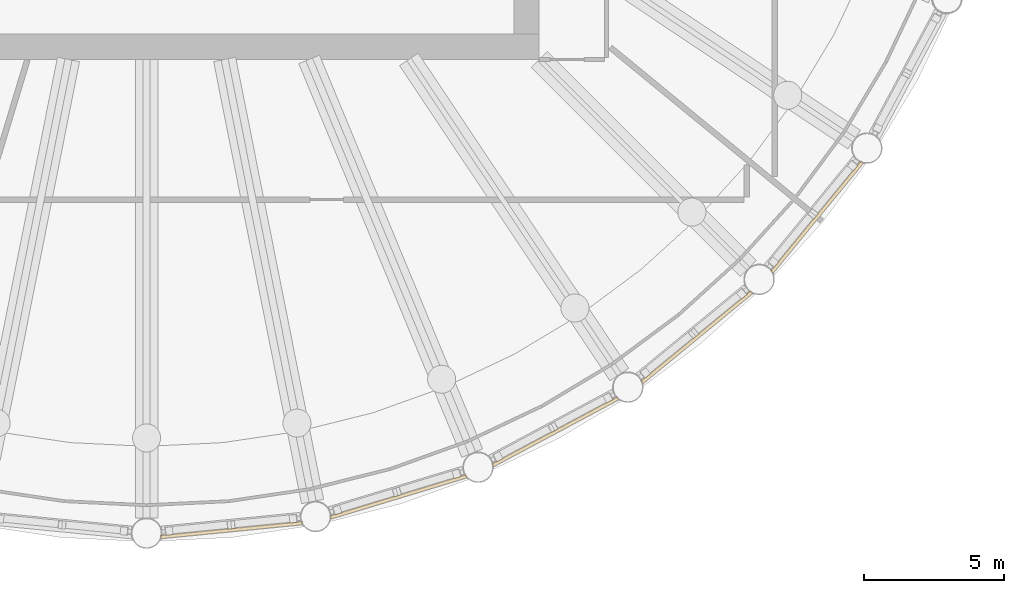
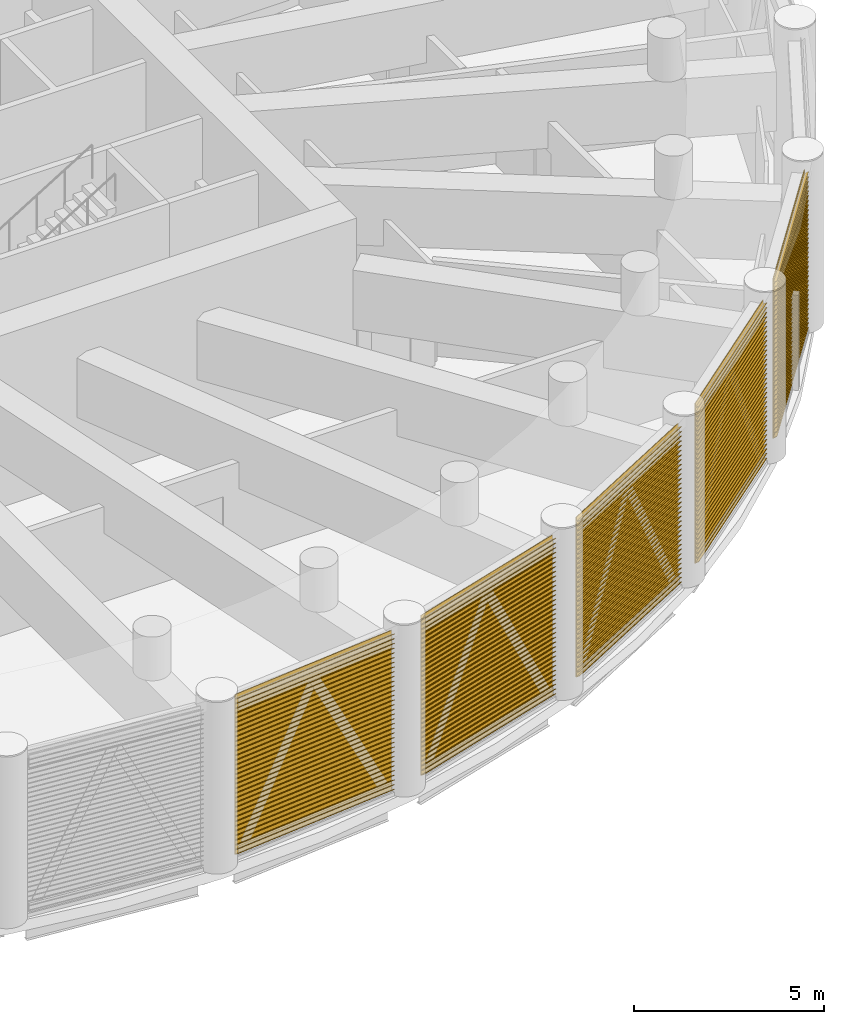
# One storey, part 18 of 23: 5 shading devices, 5 elements without a shape of their own.
"""IFC4 building model written with IfcOpenShell, lengths in metres."""

from ifc_helpers import new_model, si_unit, direction, frame, origin, place, context, subcontext, project, spatial, polyline, outline, extrude, material, material_profile, profile_set, type_object, element, aggregate, save


model = new_model("IFC4")

# Units and contexts
model_context = context("Model", 3, precision=1e-05, world=origin(), true_north=direction((0.0, 1.0)))
body_context = subcontext(model_context, "Body", "Model", "MODEL_VIEW")
ifc_project = project(units=[si_unit("LENGTHUNIT", "METRE"), si_unit("AREAUNIT", "SQUARE_METRE"), si_unit("VOLUMEUNIT", "CUBIC_METRE"), si_unit("PLANEANGLEUNIT", "RADIAN"), si_unit("MASSUNIT", "GRAM", prefix="KILO")], contexts=[model_context])

# Site, building, storey
site_placement = place(None, origin())
site = spatial("IfcSite", under=ifc_project, at=site_placement, CompositionType="ELEMENT")
building_placement = place(site_placement, origin())
building = spatial("IfcBuilding", under=site, at=building_placement, Name="Corvane Civic Tower", CompositionType="ELEMENT")
storey_placement = place(building_placement, frame((0.0, 0.0, 196.0)))
storey = spatial("IfcBuildingStorey", under=building, at=storey_placement, Name="L46", CompositionType="ELEMENT", Elevation=196.0)

# Curtain wall, shading device
ifc_material_1 = material(Name="Anodised aluminium bronze", Category="aluminium")
curtain_wall_type = type_object("IfcCurtainWallType", Name="TOWER CW-LV LOUVRE SCREEN WALL", PredefinedType="NOTDEFINED", material=ifc_material_1)
curtain_wall_1_placement = place(storey_placement, origin())
curtain_wall_1 = element("IfcCurtainWall", 1, at=curtain_wall_1_placement, inside=storey, type_object=curtain_wall_type, Name="Louvre screen wall CW-LV L46 bay 12", PredefinedType="NOTDEFINED")
ifc_material_2 = material(Name="Anodised aluminium bronze", Category="aluminium")
ifc_material_profile = material_profile(ifc_material_2, outline(polyline([(-0.06005859375, -2.56494140625), (-0.0400390625, -2.56494140625), (0.06005859375, -2.492919921875), (0.06005859375, -2.472900390625), (-0.0400390625, -2.544921875), (-0.0400390625, -2.4140625), (0.06005859375, -2.342041015625), (0.06005859375, -2.322021484375), (-0.0400390625, -2.39404296875), (-0.0400390625, -2.26318359375), (0.06005859375, -2.191162109375), (0.06005859375, -2.171142578125), (-0.0400390625, -2.2431640625), (-0.0400390625, -2.1123046875), (0.06005859375, -2.040283203125), (0.06005859375, -2.0205078125), (-0.0400390625, -2.09228515625), (-0.0400390625, -1.96142578125), (0.06005859375, -1.889404296875), (0.06005859375, -1.869384765625), (-0.0400390625, -1.94140625), (-0.0400390625, -1.810546875), (0.06005859375, -1.738525390625), (0.06005859375, -1.718505859375), (-0.0400390625, -1.79052734375), (-0.0400390625, -1.65966796875), (0.06005859375, -1.587646484375), (0.06005859375, -1.567626953125), (-0.0400390625, -1.6396484375), (-0.0400390625, -1.5087890625), (0.06005859375, -1.436767578125), (0.06005859375, -1.416748046875), (-0.0400390625, -1.48876953125), (-0.0400390625, -1.35791015625), (0.06005859375, -1.285888671875), (0.06005859375, -1.265869140625), (-0.0400390625, -1.337890625), (-0.0400390625, -1.20703125), (0.06005859375, -1.135009765625), (0.06005859375, -1.114990234375), (-0.0400390625, -1.18701171875), (-0.0400390625, -1.05615234375), (0.06005859375, -0.984130859375), (0.06005859375, -0.964111328125), (-0.0400390625, -1.0361328125), (-0.0400390625, -0.9052734375), (0.06005859375, -0.833251953125), (0.06005859375, -0.813232421875), (-0.0400390625, -0.88525390625), (-0.0400390625, -0.75439453125), (0.06005859375, -0.682373046875), (0.06005859375, -0.662353515625), (-0.0400390625, -0.734375), (-0.0400390625, -0.603515625), (0.06005859375, -0.531494140625), (0.06005859375, -0.511474609375), (-0.0400390625, -0.58349609375), (-0.0400390625, -0.45263671875), (0.06005859375, -0.380615234375), (0.06005859375, -0.360595703125), (-0.0400390625, -0.4326171875), (-0.0400390625, -0.3017578125), (0.06005859375, -0.229736328125), (0.06005859375, -0.209716796875), (-0.0400390625, -0.28173828125), (-0.0400390625, -0.15087890625), (0.06005859375, -0.078857421875), (0.06005859375, -0.058837890625), (-0.0400390625, -0.130859375), (-0.0400390625, 0.0), (0.06005859375, 0.072021484375), (0.06005859375, 0.092041015625), (-0.0400390625, 0.02001953125), (-0.0400390625, 0.15087890625), (0.06005859375, 0.222900390625), (0.06005859375, 0.242919921875), (-0.0400390625, 0.1708984375), (-0.0400390625, 0.3017578125), (0.06005859375, 0.373779296875), (0.06005859375, 0.393798828125), (-0.0400390625, 0.32177734375), (-0.0400390625, 0.45263671875), (0.06005859375, 0.524658203125), (0.06005859375, 0.544677734375), (-0.0400390625, 0.47265625), (-0.0400390625, 0.603515625), (0.06005859375, 0.675537109375), (0.06005859375, 0.695556640625), (-0.0400390625, 0.62353515625), (-0.0400390625, 0.75439453125), (0.06005859375, 0.826416015625), (0.06005859375, 0.846435546875), (-0.0400390625, 0.7744140625), (-0.0400390625, 0.9052734375), (0.06005859375, 0.977294921875), (0.06005859375, 0.997314453125), (-0.0400390625, 0.92529296875), (-0.0400390625, 1.05615234375), (0.06005859375, 1.128173828125), (0.06005859375, 1.148193359375), (-0.0400390625, 1.076171875), (-0.0400390625, 1.20703125), (0.06005859375, 1.279052734375), (0.06005859375, 1.299072265625), (-0.0400390625, 1.22705078125), (-0.0400390625, 1.35791015625), (0.06005859375, 1.429931640625), (0.06005859375, 1.449951171875), (-0.0400390625, 1.3779296875), (-0.0400390625, 1.5087890625), (0.06005859375, 1.580810546875), (0.06005859375, 1.600830078125), (-0.0400390625, 1.52880859375), (-0.0400390625, 1.65966796875), (0.06005859375, 1.731689453125), (0.06005859375, 1.751708984375), (-0.0400390625, 1.6796875), (-0.0400390625, 1.810546875), (0.06005859375, 1.882568359375), (0.06005859375, 1.902587890625), (-0.0400390625, 1.83056640625), (-0.0400390625, 1.96142578125), (0.06005859375, 2.033447265625), (0.06005859375, 2.053466796875), (-0.0400390625, 1.9814453125), (-0.0400390625, 2.1123046875), (0.06005859375, 2.184326171875), (0.06005859375, 2.204345703125), (-0.0400390625, 2.13232421875), (-0.0400390625, 2.26318359375), (0.06005859375, 2.335205078125), (0.06005859375, 2.355224609375), (-0.0400390625, 2.283203125), (-0.0400390625, 2.4140625), (0.06005859375, 2.486083984375), (0.06005859375, 2.506103515625), (-0.0400390625, 2.43408203125), (-0.0400390625, 2.56494140625), (-0.06005859375, 2.56494140625), (-0.06005859375, -2.56494140625)])), Name="TOWER LOUVRE BANK 5130 BRONZE")
ifc_profile_set = profile_set([ifc_material_profile], Name="Anodised aluminium bronze")
shading_device_type = type_object("IfcShadingDeviceType", Name="TOWER LOUVRE BANK 5130 BRONZE", PredefinedType="USERDEFINED", material=ifc_profile_set)
shading_device_1_placement = place(storey_placement, frame((25.519775390625, -17.65966796875, 2.68505859375), z_axis=(-0.634386611146, -0.773015929719, 0.0), x_axis=(0.773015929719, -0.634386611146, 0.0)))
shading_device_1 = element("IfcShadingDevice", 2, at=shading_device_1_placement, type_object=shading_device_type, Name="Louvre bank L46 12.1", ObjectType="LOUVRE", PredefinedType="USERDEFINED", context=body_context, shape_type="SweptSolid", body=[
    extrude(outline(polyline([(-0.06005859375, -2.56494140625), (-0.0400390625, -2.56494140625), (0.06005859375, -2.492919921875), (0.06005859375, -2.472900390625), (-0.0400390625, -2.544921875), (-0.0400390625, -2.4140625), (0.06005859375, -2.342041015625), (0.06005859375, -2.322021484375), (-0.0400390625, -2.39404296875), (-0.0400390625, -2.26318359375), (0.06005859375, -2.191162109375), (0.06005859375, -2.171142578125), (-0.0400390625, -2.2431640625), (-0.0400390625, -2.1123046875), (0.06005859375, -2.040283203125), (0.06005859375, -2.0205078125), (-0.0400390625, -2.09228515625), (-0.0400390625, -1.96142578125), (0.06005859375, -1.889404296875), (0.06005859375, -1.869384765625), (-0.0400390625, -1.94140625), (-0.0400390625, -1.810546875), (0.06005859375, -1.738525390625), (0.06005859375, -1.718505859375), (-0.0400390625, -1.79052734375), (-0.0400390625, -1.65966796875), (0.06005859375, -1.587646484375), (0.06005859375, -1.567626953125), (-0.0400390625, -1.6396484375), (-0.0400390625, -1.5087890625), (0.06005859375, -1.436767578125), (0.06005859375, -1.416748046875), (-0.0400390625, -1.48876953125), (-0.0400390625, -1.35791015625), (0.06005859375, -1.285888671875), (0.06005859375, -1.265869140625), (-0.0400390625, -1.337890625), (-0.0400390625, -1.20703125), (0.06005859375, -1.135009765625), (0.06005859375, -1.114990234375), (-0.0400390625, -1.18701171875), (-0.0400390625, -1.05615234375), (0.06005859375, -0.984130859375), (0.06005859375, -0.964111328125), (-0.0400390625, -1.0361328125), (-0.0400390625, -0.9052734375), (0.06005859375, -0.833251953125), (0.06005859375, -0.813232421875), (-0.0400390625, -0.88525390625), (-0.0400390625, -0.75439453125), (0.06005859375, -0.682373046875), (0.06005859375, -0.662353515625), (-0.0400390625, -0.734375), (-0.0400390625, -0.603515625), (0.06005859375, -0.531494140625), (0.06005859375, -0.511474609375), (-0.0400390625, -0.58349609375), (-0.0400390625, -0.45263671875), (0.06005859375, -0.380615234375), (0.06005859375, -0.360595703125), (-0.0400390625, -0.4326171875), (-0.0400390625, -0.3017578125), (0.06005859375, -0.229736328125), (0.06005859375, -0.209716796875), (-0.0400390625, -0.28173828125), (-0.0400390625, -0.15087890625), (0.06005859375, -0.078857421875), (0.06005859375, -0.058837890625), (-0.0400390625, -0.130859375), (-0.0400390625, 0.0), (0.06005859375, 0.072021484375), (0.06005859375, 0.092041015625), (-0.0400390625, 0.02001953125), (-0.0400390625, 0.15087890625), (0.06005859375, 0.222900390625), (0.06005859375, 0.242919921875), (-0.0400390625, 0.1708984375), (-0.0400390625, 0.3017578125), (0.06005859375, 0.373779296875), (0.06005859375, 0.393798828125), (-0.0400390625, 0.32177734375), (-0.0400390625, 0.45263671875), (0.06005859375, 0.524658203125), (0.06005859375, 0.544677734375), (-0.0400390625, 0.47265625), (-0.0400390625, 0.603515625), (0.06005859375, 0.675537109375), (0.06005859375, 0.695556640625), (-0.0400390625, 0.62353515625), (-0.0400390625, 0.75439453125), (0.06005859375, 0.826416015625), (0.06005859375, 0.846435546875), (-0.0400390625, 0.7744140625), (-0.0400390625, 0.9052734375), (0.06005859375, 0.977294921875), (0.06005859375, 0.997314453125), (-0.0400390625, 0.92529296875), (-0.0400390625, 1.05615234375), (0.06005859375, 1.128173828125), (0.06005859375, 1.148193359375), (-0.0400390625, 1.076171875), (-0.0400390625, 1.20703125), (0.06005859375, 1.279052734375), (0.06005859375, 1.299072265625), (-0.0400390625, 1.22705078125), (-0.0400390625, 1.35791015625), (0.06005859375, 1.429931640625), (0.06005859375, 1.449951171875), (-0.0400390625, 1.3779296875), (-0.0400390625, 1.5087890625), (0.06005859375, 1.580810546875), (0.06005859375, 1.600830078125), (-0.0400390625, 1.52880859375), (-0.0400390625, 1.65966796875), (0.06005859375, 1.731689453125), (0.06005859375, 1.751708984375), (-0.0400390625, 1.6796875), (-0.0400390625, 1.810546875), (0.06005859375, 1.882568359375), (0.06005859375, 1.902587890625), (-0.0400390625, 1.83056640625), (-0.0400390625, 1.96142578125), (0.06005859375, 2.033447265625), (0.06005859375, 2.053466796875), (-0.0400390625, 1.9814453125), (-0.0400390625, 2.1123046875), (0.06005859375, 2.184326171875), (0.06005859375, 2.204345703125), (-0.0400390625, 2.13232421875), (-0.0400390625, 2.26318359375), (0.06005859375, 2.335205078125), (0.06005859375, 2.355224609375), (-0.0400390625, 2.283203125), (-0.0400390625, 2.4140625), (0.06005859375, 2.486083984375), (0.06005859375, 2.506103515625), (-0.0400390625, 2.43408203125), (-0.0400390625, 2.56494140625), (-0.06005859375, 2.56494140625), (-0.06005859375, -2.56494140625)])), origin(), (0.0, 0.0, 1.0), 5.0771484375),
])
aggregate(curtain_wall_1, [shading_device_1])

curtain_wall_2_placement = place(storey_placement, origin())
curtain_wall_2 = element("IfcCurtainWall", 3, at=curtain_wall_2_placement, inside=storey, type_object=curtain_wall_type, Name="Louvre screen wall CW-LV L46 bay 13", PredefinedType="NOTDEFINED")
shading_device_2_placement = place(storey_placement, frame((21.58447265625, -22.298828125, 2.68505859375), z_axis=(-0.773015929719, -0.634386611146, 0.0), x_axis=(0.634386611146, -0.773015929719, 0.0)))
shading_device_2 = element("IfcShadingDevice", 4, at=shading_device_2_placement, type_object=shading_device_type, Name="Louvre bank L46 13.1", ObjectType="LOUVRE", PredefinedType="USERDEFINED", context=body_context, shape_type="SweptSolid", body=[
    extrude(outline(polyline([(-0.06005859375, -2.56494140625), (-0.0400390625, -2.56494140625), (0.06005859375, -2.492919921875), (0.06005859375, -2.472900390625), (-0.0400390625, -2.544921875), (-0.0400390625, -2.4140625), (0.06005859375, -2.342041015625), (0.06005859375, -2.322021484375), (-0.0400390625, -2.39404296875), (-0.0400390625, -2.26318359375), (0.06005859375, -2.191162109375), (0.06005859375, -2.171142578125), (-0.0400390625, -2.2431640625), (-0.0400390625, -2.1123046875), (0.06005859375, -2.040283203125), (0.06005859375, -2.0205078125), (-0.0400390625, -2.09228515625), (-0.0400390625, -1.96142578125), (0.06005859375, -1.889404296875), (0.06005859375, -1.869384765625), (-0.0400390625, -1.94140625), (-0.0400390625, -1.810546875), (0.06005859375, -1.738525390625), (0.06005859375, -1.718505859375), (-0.0400390625, -1.79052734375), (-0.0400390625, -1.65966796875), (0.06005859375, -1.587646484375), (0.06005859375, -1.567626953125), (-0.0400390625, -1.6396484375), (-0.0400390625, -1.5087890625), (0.06005859375, -1.436767578125), (0.06005859375, -1.416748046875), (-0.0400390625, -1.48876953125), (-0.0400390625, -1.35791015625), (0.06005859375, -1.285888671875), (0.06005859375, -1.265869140625), (-0.0400390625, -1.337890625), (-0.0400390625, -1.20703125), (0.06005859375, -1.135009765625), (0.06005859375, -1.114990234375), (-0.0400390625, -1.18701171875), (-0.0400390625, -1.05615234375), (0.06005859375, -0.984130859375), (0.06005859375, -0.964111328125), (-0.0400390625, -1.0361328125), (-0.0400390625, -0.9052734375), (0.06005859375, -0.833251953125), (0.06005859375, -0.813232421875), (-0.0400390625, -0.88525390625), (-0.0400390625, -0.75439453125), (0.06005859375, -0.682373046875), (0.06005859375, -0.662353515625), (-0.0400390625, -0.734375), (-0.0400390625, -0.603515625), (0.06005859375, -0.531494140625), (0.06005859375, -0.511474609375), (-0.0400390625, -0.58349609375), (-0.0400390625, -0.45263671875), (0.06005859375, -0.380615234375), (0.06005859375, -0.360595703125), (-0.0400390625, -0.4326171875), (-0.0400390625, -0.3017578125), (0.06005859375, -0.229736328125), (0.06005859375, -0.209716796875), (-0.0400390625, -0.28173828125), (-0.0400390625, -0.15087890625), (0.06005859375, -0.078857421875), (0.06005859375, -0.058837890625), (-0.0400390625, -0.130859375), (-0.0400390625, 0.0), (0.06005859375, 0.072021484375), (0.06005859375, 0.092041015625), (-0.0400390625, 0.02001953125), (-0.0400390625, 0.15087890625), (0.06005859375, 0.222900390625), (0.06005859375, 0.242919921875), (-0.0400390625, 0.1708984375), (-0.0400390625, 0.3017578125), (0.06005859375, 0.373779296875), (0.06005859375, 0.393798828125), (-0.0400390625, 0.32177734375), (-0.0400390625, 0.45263671875), (0.06005859375, 0.524658203125), (0.06005859375, 0.544677734375), (-0.0400390625, 0.47265625), (-0.0400390625, 0.603515625), (0.06005859375, 0.675537109375), (0.06005859375, 0.695556640625), (-0.0400390625, 0.62353515625), (-0.0400390625, 0.75439453125), (0.06005859375, 0.826416015625), (0.06005859375, 0.846435546875), (-0.0400390625, 0.7744140625), (-0.0400390625, 0.9052734375), (0.06005859375, 0.977294921875), (0.06005859375, 0.997314453125), (-0.0400390625, 0.92529296875), (-0.0400390625, 1.05615234375), (0.06005859375, 1.128173828125), (0.06005859375, 1.148193359375), (-0.0400390625, 1.076171875), (-0.0400390625, 1.20703125), (0.06005859375, 1.279052734375), (0.06005859375, 1.299072265625), (-0.0400390625, 1.22705078125), (-0.0400390625, 1.35791015625), (0.06005859375, 1.429931640625), (0.06005859375, 1.449951171875), (-0.0400390625, 1.3779296875), (-0.0400390625, 1.5087890625), (0.06005859375, 1.580810546875), (0.06005859375, 1.600830078125), (-0.0400390625, 1.52880859375), (-0.0400390625, 1.65966796875), (0.06005859375, 1.731689453125), (0.06005859375, 1.751708984375), (-0.0400390625, 1.6796875), (-0.0400390625, 1.810546875), (0.06005859375, 1.882568359375), (0.06005859375, 1.902587890625), (-0.0400390625, 1.83056640625), (-0.0400390625, 1.96142578125), (0.06005859375, 2.033447265625), (0.06005859375, 2.053466796875), (-0.0400390625, 1.9814453125), (-0.0400390625, 2.1123046875), (0.06005859375, 2.184326171875), (0.06005859375, 2.204345703125), (-0.0400390625, 2.13232421875), (-0.0400390625, 2.26318359375), (0.06005859375, 2.335205078125), (0.06005859375, 2.355224609375), (-0.0400390625, 2.283203125), (-0.0400390625, 2.4140625), (0.06005859375, 2.486083984375), (0.06005859375, 2.506103515625), (-0.0400390625, 2.43408203125), (-0.0400390625, 2.56494140625), (-0.06005859375, 2.56494140625), (-0.06005859375, -2.56494140625)])), origin(), (0.0, 0.0, 1.0), 5.0771484375),
])
aggregate(curtain_wall_2, [shading_device_2])

curtain_wall_3_placement = place(storey_placement, origin())
curtain_wall_3 = element("IfcCurtainWall", 5, at=curtain_wall_3_placement, inside=storey, type_object=curtain_wall_type, Name="Louvre screen wall CW-LV L46 bay 14", PredefinedType="NOTDEFINED")
shading_device_3_placement = place(storey_placement, frame((16.819580078125, -26.081298828125, 2.68505859375), z_axis=(-0.881921329426, -0.471396615074, 0.0), x_axis=(0.471396615074, -0.881921329426, 0.0)))
shading_device_3 = element("IfcShadingDevice", 6, at=shading_device_3_placement, type_object=shading_device_type, Name="Louvre bank L46 14.1", ObjectType="LOUVRE", PredefinedType="USERDEFINED", context=body_context, shape_type="SweptSolid", body=[
    extrude(outline(polyline([(-0.06005859375, -2.56494140625), (-0.0400390625, -2.56494140625), (0.06005859375, -2.492919921875), (0.06005859375, -2.472900390625), (-0.0400390625, -2.544921875), (-0.0400390625, -2.4140625), (0.06005859375, -2.342041015625), (0.06005859375, -2.322021484375), (-0.0400390625, -2.39404296875), (-0.0400390625, -2.26318359375), (0.06005859375, -2.191162109375), (0.06005859375, -2.171142578125), (-0.0400390625, -2.2431640625), (-0.0400390625, -2.1123046875), (0.06005859375, -2.040283203125), (0.06005859375, -2.0205078125), (-0.0400390625, -2.09228515625), (-0.0400390625, -1.96142578125), (0.06005859375, -1.889404296875), (0.06005859375, -1.869384765625), (-0.0400390625, -1.94140625), (-0.0400390625, -1.810546875), (0.06005859375, -1.738525390625), (0.06005859375, -1.718505859375), (-0.0400390625, -1.79052734375), (-0.0400390625, -1.65966796875), (0.06005859375, -1.587646484375), (0.06005859375, -1.567626953125), (-0.0400390625, -1.6396484375), (-0.0400390625, -1.5087890625), (0.06005859375, -1.436767578125), (0.06005859375, -1.416748046875), (-0.0400390625, -1.48876953125), (-0.0400390625, -1.35791015625), (0.06005859375, -1.285888671875), (0.06005859375, -1.265869140625), (-0.0400390625, -1.337890625), (-0.0400390625, -1.20703125), (0.06005859375, -1.135009765625), (0.06005859375, -1.114990234375), (-0.0400390625, -1.18701171875), (-0.0400390625, -1.05615234375), (0.06005859375, -0.984130859375), (0.06005859375, -0.964111328125), (-0.0400390625, -1.0361328125), (-0.0400390625, -0.9052734375), (0.06005859375, -0.833251953125), (0.06005859375, -0.813232421875), (-0.0400390625, -0.88525390625), (-0.0400390625, -0.75439453125), (0.06005859375, -0.682373046875), (0.06005859375, -0.662353515625), (-0.0400390625, -0.734375), (-0.0400390625, -0.603515625), (0.06005859375, -0.531494140625), (0.06005859375, -0.511474609375), (-0.0400390625, -0.58349609375), (-0.0400390625, -0.45263671875), (0.06005859375, -0.380615234375), (0.06005859375, -0.360595703125), (-0.0400390625, -0.4326171875), (-0.0400390625, -0.3017578125), (0.06005859375, -0.229736328125), (0.06005859375, -0.209716796875), (-0.0400390625, -0.28173828125), (-0.0400390625, -0.15087890625), (0.06005859375, -0.078857421875), (0.06005859375, -0.058837890625), (-0.0400390625, -0.130859375), (-0.0400390625, 0.0), (0.06005859375, 0.072021484375), (0.06005859375, 0.092041015625), (-0.0400390625, 0.02001953125), (-0.0400390625, 0.15087890625), (0.06005859375, 0.222900390625), (0.06005859375, 0.242919921875), (-0.0400390625, 0.1708984375), (-0.0400390625, 0.3017578125), (0.06005859375, 0.373779296875), (0.06005859375, 0.393798828125), (-0.0400390625, 0.32177734375), (-0.0400390625, 0.45263671875), (0.06005859375, 0.524658203125), (0.06005859375, 0.544677734375), (-0.0400390625, 0.47265625), (-0.0400390625, 0.603515625), (0.06005859375, 0.675537109375), (0.06005859375, 0.695556640625), (-0.0400390625, 0.62353515625), (-0.0400390625, 0.75439453125), (0.06005859375, 0.826416015625), (0.06005859375, 0.846435546875), (-0.0400390625, 0.7744140625), (-0.0400390625, 0.9052734375), (0.06005859375, 0.977294921875), (0.06005859375, 0.997314453125), (-0.0400390625, 0.92529296875), (-0.0400390625, 1.05615234375), (0.06005859375, 1.128173828125), (0.06005859375, 1.148193359375), (-0.0400390625, 1.076171875), (-0.0400390625, 1.20703125), (0.06005859375, 1.279052734375), (0.06005859375, 1.299072265625), (-0.0400390625, 1.22705078125), (-0.0400390625, 1.35791015625), (0.06005859375, 1.429931640625), (0.06005859375, 1.449951171875), (-0.0400390625, 1.3779296875), (-0.0400390625, 1.5087890625), (0.06005859375, 1.580810546875), (0.06005859375, 1.600830078125), (-0.0400390625, 1.52880859375), (-0.0400390625, 1.65966796875), (0.06005859375, 1.731689453125), (0.06005859375, 1.751708984375), (-0.0400390625, 1.6796875), (-0.0400390625, 1.810546875), (0.06005859375, 1.882568359375), (0.06005859375, 1.902587890625), (-0.0400390625, 1.83056640625), (-0.0400390625, 1.96142578125), (0.06005859375, 2.033447265625), (0.06005859375, 2.053466796875), (-0.0400390625, 1.9814453125), (-0.0400390625, 2.1123046875), (0.06005859375, 2.184326171875), (0.06005859375, 2.204345703125), (-0.0400390625, 2.13232421875), (-0.0400390625, 2.26318359375), (0.06005859375, 2.335205078125), (0.06005859375, 2.355224609375), (-0.0400390625, 2.283203125), (-0.0400390625, 2.4140625), (0.06005859375, 2.486083984375), (0.06005859375, 2.506103515625), (-0.0400390625, 2.43408203125), (-0.0400390625, 2.56494140625), (-0.06005859375, 2.56494140625), (-0.06005859375, -2.56494140625)])), origin(), (0.0, 0.0, 1.0), 5.07763671875),
])
aggregate(curtain_wall_3, [shading_device_3])

curtain_wall_4_placement = place(storey_placement, origin())
curtain_wall_4 = element("IfcCurtainWall", 7, at=curtain_wall_4_placement, inside=storey, type_object=curtain_wall_type, Name="Louvre screen wall CW-LV L46 bay 15", PredefinedType="NOTDEFINED")
shading_device_4_placement = place(storey_placement, frame((11.407958984375, -28.861572265625, 2.68505859375), z_axis=(-0.956939031389, -0.290288977061, 0.0), x_axis=(0.290288977061, -0.956939031389, 0.0)))
shading_device_4 = element("IfcShadingDevice", 8, at=shading_device_4_placement, type_object=shading_device_type, Name="Louvre bank L46 15.1", ObjectType="LOUVRE", PredefinedType="USERDEFINED", context=body_context, shape_type="SweptSolid", body=[
    extrude(outline(polyline([(-0.06005859375, -2.56494140625), (-0.0400390625, -2.56494140625), (0.06005859375, -2.492919921875), (0.06005859375, -2.472900390625), (-0.0400390625, -2.544921875), (-0.0400390625, -2.4140625), (0.06005859375, -2.342041015625), (0.06005859375, -2.322021484375), (-0.0400390625, -2.39404296875), (-0.0400390625, -2.26318359375), (0.06005859375, -2.191162109375), (0.06005859375, -2.171142578125), (-0.0400390625, -2.2431640625), (-0.0400390625, -2.1123046875), (0.06005859375, -2.040283203125), (0.06005859375, -2.0205078125), (-0.0400390625, -2.09228515625), (-0.0400390625, -1.96142578125), (0.06005859375, -1.889404296875), (0.06005859375, -1.869384765625), (-0.0400390625, -1.94140625), (-0.0400390625, -1.810546875), (0.06005859375, -1.738525390625), (0.06005859375, -1.718505859375), (-0.0400390625, -1.79052734375), (-0.0400390625, -1.65966796875), (0.06005859375, -1.587646484375), (0.06005859375, -1.567626953125), (-0.0400390625, -1.6396484375), (-0.0400390625, -1.5087890625), (0.06005859375, -1.436767578125), (0.06005859375, -1.416748046875), (-0.0400390625, -1.48876953125), (-0.0400390625, -1.35791015625), (0.06005859375, -1.285888671875), (0.06005859375, -1.265869140625), (-0.0400390625, -1.337890625), (-0.0400390625, -1.20703125), (0.06005859375, -1.135009765625), (0.06005859375, -1.114990234375), (-0.0400390625, -1.18701171875), (-0.0400390625, -1.05615234375), (0.06005859375, -0.984130859375), (0.06005859375, -0.964111328125), (-0.0400390625, -1.0361328125), (-0.0400390625, -0.9052734375), (0.06005859375, -0.833251953125), (0.06005859375, -0.813232421875), (-0.0400390625, -0.88525390625), (-0.0400390625, -0.75439453125), (0.06005859375, -0.682373046875), (0.06005859375, -0.662353515625), (-0.0400390625, -0.734375), (-0.0400390625, -0.603515625), (0.06005859375, -0.531494140625), (0.06005859375, -0.511474609375), (-0.0400390625, -0.58349609375), (-0.0400390625, -0.45263671875), (0.06005859375, -0.380615234375), (0.06005859375, -0.360595703125), (-0.0400390625, -0.4326171875), (-0.0400390625, -0.3017578125), (0.06005859375, -0.229736328125), (0.06005859375, -0.209716796875), (-0.0400390625, -0.28173828125), (-0.0400390625, -0.15087890625), (0.06005859375, -0.078857421875), (0.06005859375, -0.058837890625), (-0.0400390625, -0.130859375), (-0.0400390625, 0.0), (0.06005859375, 0.072021484375), (0.06005859375, 0.092041015625), (-0.0400390625, 0.02001953125), (-0.0400390625, 0.15087890625), (0.06005859375, 0.222900390625), (0.06005859375, 0.242919921875), (-0.0400390625, 0.1708984375), (-0.0400390625, 0.3017578125), (0.06005859375, 0.373779296875), (0.06005859375, 0.393798828125), (-0.0400390625, 0.32177734375), (-0.0400390625, 0.45263671875), (0.06005859375, 0.524658203125), (0.06005859375, 0.544677734375), (-0.0400390625, 0.47265625), (-0.0400390625, 0.603515625), (0.06005859375, 0.675537109375), (0.06005859375, 0.695556640625), (-0.0400390625, 0.62353515625), (-0.0400390625, 0.75439453125), (0.06005859375, 0.826416015625), (0.06005859375, 0.846435546875), (-0.0400390625, 0.7744140625), (-0.0400390625, 0.9052734375), (0.06005859375, 0.977294921875), (0.06005859375, 0.997314453125), (-0.0400390625, 0.92529296875), (-0.0400390625, 1.05615234375), (0.06005859375, 1.128173828125), (0.06005859375, 1.148193359375), (-0.0400390625, 1.076171875), (-0.0400390625, 1.20703125), (0.06005859375, 1.279052734375), (0.06005859375, 1.299072265625), (-0.0400390625, 1.22705078125), (-0.0400390625, 1.35791015625), (0.06005859375, 1.429931640625), (0.06005859375, 1.449951171875), (-0.0400390625, 1.3779296875), (-0.0400390625, 1.5087890625), (0.06005859375, 1.580810546875), (0.06005859375, 1.600830078125), (-0.0400390625, 1.52880859375), (-0.0400390625, 1.65966796875), (0.06005859375, 1.731689453125), (0.06005859375, 1.751708984375), (-0.0400390625, 1.6796875), (-0.0400390625, 1.810546875), (0.06005859375, 1.882568359375), (0.06005859375, 1.902587890625), (-0.0400390625, 1.83056640625), (-0.0400390625, 1.96142578125), (0.06005859375, 2.033447265625), (0.06005859375, 2.053466796875), (-0.0400390625, 1.9814453125), (-0.0400390625, 2.1123046875), (0.06005859375, 2.184326171875), (0.06005859375, 2.204345703125), (-0.0400390625, 2.13232421875), (-0.0400390625, 2.26318359375), (0.06005859375, 2.335205078125), (0.06005859375, 2.355224609375), (-0.0400390625, 2.283203125), (-0.0400390625, 2.4140625), (0.06005859375, 2.486083984375), (0.06005859375, 2.506103515625), (-0.0400390625, 2.43408203125), (-0.0400390625, 2.56494140625), (-0.06005859375, 2.56494140625), (-0.06005859375, -2.56494140625)])), origin(), (0.0, 0.0, 1.0), 5.077392578125),
])
aggregate(curtain_wall_4, [shading_device_4])

curtain_wall_5_placement = place(storey_placement, origin())
curtain_wall_5 = element("IfcCurtainWall", 9, at=curtain_wall_5_placement, inside=storey, type_object=curtain_wall_type, Name="Louvre screen wall CW-LV L46 bay 16", PredefinedType="NOTDEFINED")
shading_device_5_placement = place(storey_placement, frame((5.558349609375, -30.53271484375, 2.68505859375), z_axis=(-0.995187423416, -0.097989755963, 0.0), x_axis=(0.097989755963, -0.995187423416, 0.0)))
shading_device_5 = element("IfcShadingDevice", 10, at=shading_device_5_placement, type_object=shading_device_type, Name="Louvre bank L46 16.1", ObjectType="LOUVRE", PredefinedType="USERDEFINED", context=body_context, shape_type="SweptSolid", body=[
    extrude(outline(polyline([(-0.06005859375, -2.56494140625), (-0.0400390625, -2.56494140625), (0.06005859375, -2.492919921875), (0.06005859375, -2.472900390625), (-0.0400390625, -2.544921875), (-0.0400390625, -2.4140625), (0.06005859375, -2.342041015625), (0.06005859375, -2.322021484375), (-0.0400390625, -2.39404296875), (-0.0400390625, -2.26318359375), (0.06005859375, -2.191162109375), (0.06005859375, -2.171142578125), (-0.0400390625, -2.2431640625), (-0.0400390625, -2.1123046875), (0.06005859375, -2.040283203125), (0.06005859375, -2.0205078125), (-0.0400390625, -2.09228515625), (-0.0400390625, -1.96142578125), (0.06005859375, -1.889404296875), (0.06005859375, -1.869384765625), (-0.0400390625, -1.94140625), (-0.0400390625, -1.810546875), (0.06005859375, -1.738525390625), (0.06005859375, -1.718505859375), (-0.0400390625, -1.79052734375), (-0.0400390625, -1.65966796875), (0.06005859375, -1.587646484375), (0.06005859375, -1.567626953125), (-0.0400390625, -1.6396484375), (-0.0400390625, -1.5087890625), (0.06005859375, -1.436767578125), (0.06005859375, -1.416748046875), (-0.0400390625, -1.48876953125), (-0.0400390625, -1.35791015625), (0.06005859375, -1.285888671875), (0.06005859375, -1.265869140625), (-0.0400390625, -1.337890625), (-0.0400390625, -1.20703125), (0.06005859375, -1.135009765625), (0.06005859375, -1.114990234375), (-0.0400390625, -1.18701171875), (-0.0400390625, -1.05615234375), (0.06005859375, -0.984130859375), (0.06005859375, -0.964111328125), (-0.0400390625, -1.0361328125), (-0.0400390625, -0.9052734375), (0.06005859375, -0.833251953125), (0.06005859375, -0.813232421875), (-0.0400390625, -0.88525390625), (-0.0400390625, -0.75439453125), (0.06005859375, -0.682373046875), (0.06005859375, -0.662353515625), (-0.0400390625, -0.734375), (-0.0400390625, -0.603515625), (0.06005859375, -0.531494140625), (0.06005859375, -0.511474609375), (-0.0400390625, -0.58349609375), (-0.0400390625, -0.45263671875), (0.06005859375, -0.380615234375), (0.06005859375, -0.360595703125), (-0.0400390625, -0.4326171875), (-0.0400390625, -0.3017578125), (0.06005859375, -0.229736328125), (0.06005859375, -0.209716796875), (-0.0400390625, -0.28173828125), (-0.0400390625, -0.15087890625), (0.06005859375, -0.078857421875), (0.06005859375, -0.058837890625), (-0.0400390625, -0.130859375), (-0.0400390625, 0.0), (0.06005859375, 0.072021484375), (0.06005859375, 0.092041015625), (-0.0400390625, 0.02001953125), (-0.0400390625, 0.15087890625), (0.06005859375, 0.222900390625), (0.06005859375, 0.242919921875), (-0.0400390625, 0.1708984375), (-0.0400390625, 0.3017578125), (0.06005859375, 0.373779296875), (0.06005859375, 0.393798828125), (-0.0400390625, 0.32177734375), (-0.0400390625, 0.45263671875), (0.06005859375, 0.524658203125), (0.06005859375, 0.544677734375), (-0.0400390625, 0.47265625), (-0.0400390625, 0.603515625), (0.06005859375, 0.675537109375), (0.06005859375, 0.695556640625), (-0.0400390625, 0.62353515625), (-0.0400390625, 0.75439453125), (0.06005859375, 0.826416015625), (0.06005859375, 0.846435546875), (-0.0400390625, 0.7744140625), (-0.0400390625, 0.9052734375), (0.06005859375, 0.977294921875), (0.06005859375, 0.997314453125), (-0.0400390625, 0.92529296875), (-0.0400390625, 1.05615234375), (0.06005859375, 1.128173828125), (0.06005859375, 1.148193359375), (-0.0400390625, 1.076171875), (-0.0400390625, 1.20703125), (0.06005859375, 1.279052734375), (0.06005859375, 1.299072265625), (-0.0400390625, 1.22705078125), (-0.0400390625, 1.35791015625), (0.06005859375, 1.429931640625), (0.06005859375, 1.449951171875), (-0.0400390625, 1.3779296875), (-0.0400390625, 1.5087890625), (0.06005859375, 1.580810546875), (0.06005859375, 1.600830078125), (-0.0400390625, 1.52880859375), (-0.0400390625, 1.65966796875), (0.06005859375, 1.731689453125), (0.06005859375, 1.751708984375), (-0.0400390625, 1.6796875), (-0.0400390625, 1.810546875), (0.06005859375, 1.882568359375), (0.06005859375, 1.902587890625), (-0.0400390625, 1.83056640625), (-0.0400390625, 1.96142578125), (0.06005859375, 2.033447265625), (0.06005859375, 2.053466796875), (-0.0400390625, 1.9814453125), (-0.0400390625, 2.1123046875), (0.06005859375, 2.184326171875), (0.06005859375, 2.204345703125), (-0.0400390625, 2.13232421875), (-0.0400390625, 2.26318359375), (0.06005859375, 2.335205078125), (0.06005859375, 2.355224609375), (-0.0400390625, 2.283203125), (-0.0400390625, 2.4140625), (0.06005859375, 2.486083984375), (0.06005859375, 2.506103515625), (-0.0400390625, 2.43408203125), (-0.0400390625, 2.56494140625), (-0.06005859375, 2.56494140625), (-0.06005859375, -2.56494140625)])), origin(), (0.0, 0.0, 1.0), 5.07763671875),
])
aggregate(curtain_wall_5, [shading_device_5])

save(model, "model.ifc")
